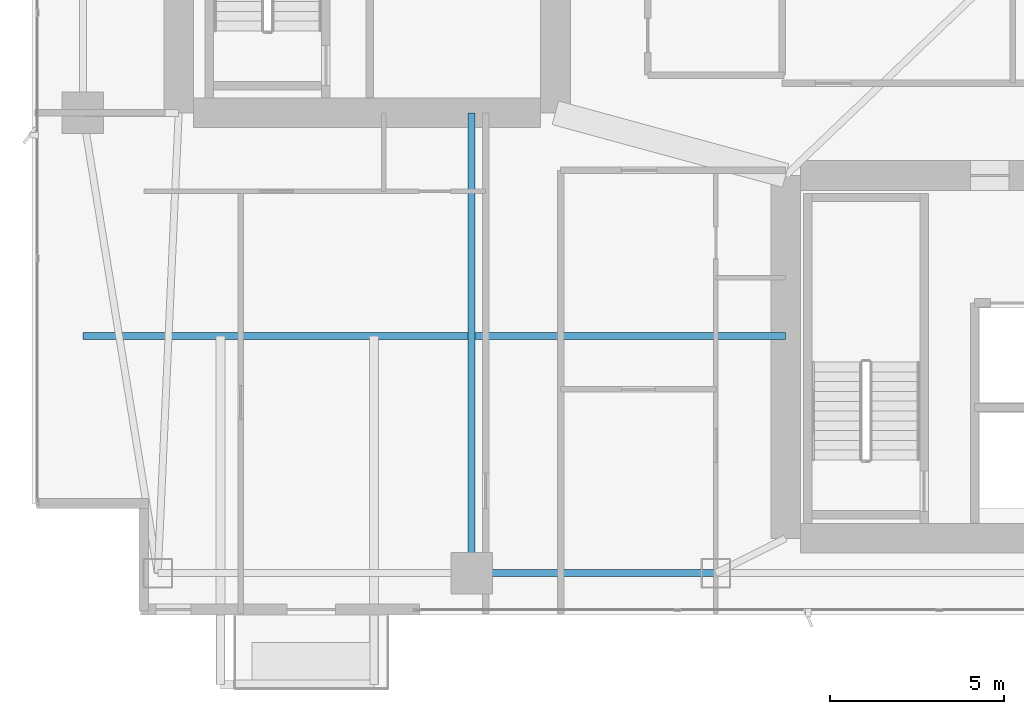
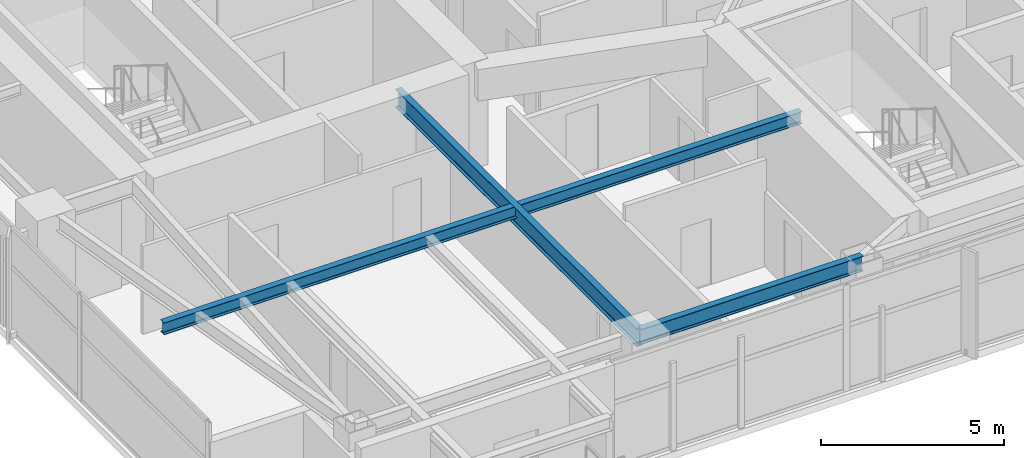
# One storey, part 5 of 28: 3 beams.
"""IFC4 building model written with IfcOpenShell, lengths in metres."""

from ifc_helpers import new_model, si_unit, direction, frame, origin, origin_2d, place, context, subcontext, project, spatial, i_section, extrude, material, material_profile, profile_set, type_object, element, save


model = new_model("IFC4")

# Units and contexts
model_context = context("Model", 3, precision=1e-05, world=origin(), true_north=direction((0.0, 1.0)))
body_context = subcontext(model_context, "Body", "Model", "MODEL_VIEW")
ifc_project = project(units=[si_unit("LENGTHUNIT", "METRE"), si_unit("AREAUNIT", "SQUARE_METRE"), si_unit("VOLUMEUNIT", "CUBIC_METRE"), si_unit("PLANEANGLEUNIT", "RADIAN"), si_unit("MASSUNIT", "GRAM", prefix="KILO")], contexts=[model_context])

# Site, building, storey
site_placement = place(None, origin())
site = spatial("IfcSite", under=ifc_project, at=site_placement, CompositionType="ELEMENT")
building_placement = place(site_placement, origin())
building = spatial("IfcBuilding", under=site, at=building_placement, Name="Calvorn Quay Hotel", CompositionType="ELEMENT")
storey_placement = place(building_placement, frame((0.0, 0.0, 178.89990234375)))
storey = spatial("IfcBuildingStorey", under=building, at=storey_placement, Name="L44", CompositionType="ELEMENT", Elevation=178.89990234375)

# Beams
ifc_material_1 = material(Name="Steel Q355B", Category="steel")
ifc_material_profile_1 = material_profile(ifc_material_1, i_section(OverallWidth=0.199951171875, OverallDepth=0.60009765625, WebThickness=0.010986328125, FlangeThickness=0.01708984375, FilletRadius=0.01806640625, at=origin_2d()), Name="HN600x200x11x17")
ifc_profile_set_1 = profile_set([ifc_material_profile_1], Name="Steel Q355B")
beam_type_1 = type_object("IfcBeamType", Name="BM-GIRD-TYP", PredefinedType="BEAM", material=ifc_profile_set_1)
beam_1_placement = place(storey_placement, frame((12.60009765625, 3.60009765625, 3.239990234375), z_axis=(0.0, 1.0, 0.0), x_axis=(-1.0, 0.0, 0.0)))
element("IfcBeam", 1, at=beam_1_placement, inside=storey, type_object=beam_type_1, Name="Beam BG-L44-S1", PredefinedType="BEAM", context=body_context, shape_type="SweptSolid", body=[
    extrude(i_section(OverallWidth=0.199951171875, OverallDepth=0.60009765625, WebThickness=0.010986328125, FlangeThickness=0.01708984375, FilletRadius=0.01806640625, at=origin_2d()), origin(), (0.0, 0.0, 1.0), 13.199951171875),
])
ifc_material_2 = material(Name="Steel Q355B", Category="steel")
ifc_material_profile_2 = material_profile(ifc_material_2, i_section(OverallWidth=0.199951171875, OverallDepth=0.39990234375, WebThickness=0.008056640625, FlangeThickness=0.012939453125, FilletRadius=0.01611328125, at=origin_2d()), Name="HN400x200x8x13")
ifc_profile_set_2 = profile_set([ifc_material_profile_2], Name="Steel Q355B")
beam_type_2 = type_object("IfcBeamType", Name="BM-JOIST-TYP", PredefinedType="JOIST", material=ifc_profile_set_2)
beam_2_placement = place(storey_placement, frame((1.449951171875, 10.39990234375, 3.340087890625), z_axis=(1.0, 0.0, 0.0), x_axis=(0.0, 1.0, 0.0)))
element("IfcBeam", 2, at=beam_2_placement, inside=storey, type_object=beam_type_2, Name="Beam BJ-L44-W1", PredefinedType="JOIST", context=body_context, shape_type="SweptSolid", body=[
    extrude(i_section(OverallWidth=0.199951171875, OverallDepth=0.39990234375, WebThickness=0.008056640625, FlangeThickness=0.012939453125, FilletRadius=0.01611328125, at=origin_2d()), origin(), (0.0, 0.0, 1.0), 20.150146484375),
])
ifc_material_3 = material(Name="Steel Q355B", Category="steel")
ifc_material_profile_3 = material_profile(ifc_material_3, i_section(OverallWidth=0.199951171875, OverallDepth=0.5, WebThickness=0.010009765625, FlangeThickness=0.01611328125, FilletRadius=0.01611328125, at=origin_2d()), Name="HN500x200x10x16")
ifc_profile_set_3 = profile_set([ifc_material_profile_3], Name="Steel Q355B")
beam_type_3 = type_object("IfcBeamType", Name="BM-SPANDREL-Z1", PredefinedType="SPANDREL", material=ifc_profile_set_3)
beam_3_placement = place(storey_placement, frame((12.60009765625, 3.60009765625, 3.2900390625), z_axis=(1.0, 0.0, 0.0), x_axis=(0.0, 1.0, 0.0)))
element("IfcBeam", 3, at=beam_3_placement, inside=storey, type_object=beam_type_3, Name="Beam BSP-L44-S2", PredefinedType="SPANDREL", context=body_context, shape_type="SweptSolid", body=[
    extrude(i_section(OverallWidth=0.199951171875, OverallDepth=0.5, WebThickness=0.010009765625, FlangeThickness=0.01611328125, FilletRadius=0.01611328125, at=origin_2d()), origin(), (0.0, 0.0, 1.0), 7.0),
])

save(model, "model.ifc")
